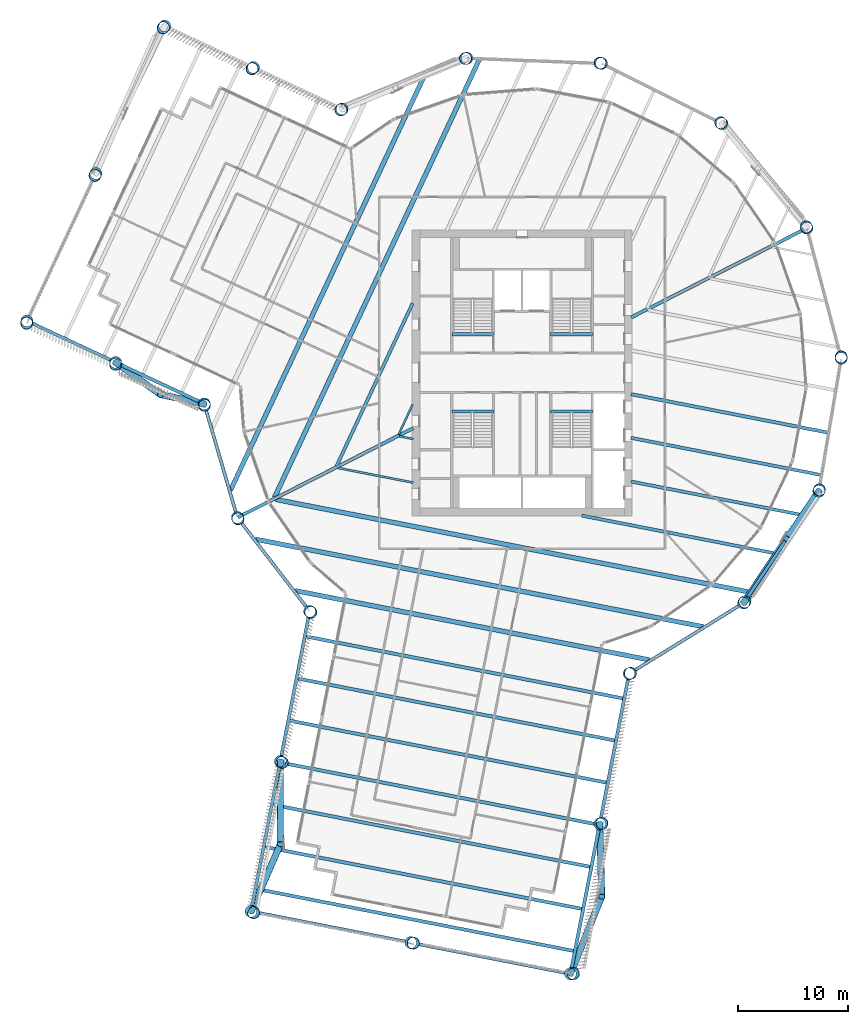
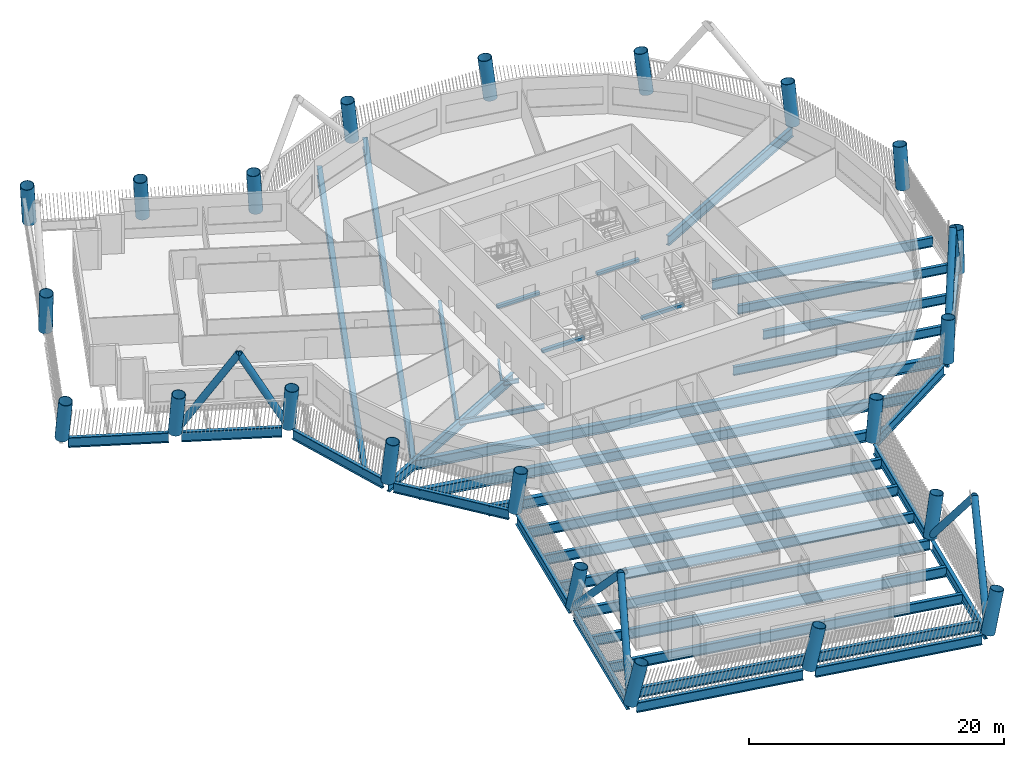
# One storey, part 1 of 24: 38 beams, 22 columns, 8 members.
"""IFC4 building model written with IfcOpenShell, lengths in metres."""

from ifc_helpers import new_model, si_unit, direction, frame, origin, origin_2d, place, context, subcontext, project, spatial, rectangle, hollow_circle, i_section, extrude, material, material_profile, profile_set, type_object, element, save


model = new_model("IFC4")

# Units and contexts
model_context = context("Model", 3, precision=1e-05, world=origin(), true_north=direction((0.0, 1.0)))
body_context = subcontext(model_context, "Body", "Model", "MODEL_VIEW")
ifc_project = project(units=[si_unit("LENGTHUNIT", "METRE"), si_unit("AREAUNIT", "SQUARE_METRE"), si_unit("VOLUMEUNIT", "CUBIC_METRE"), si_unit("PLANEANGLEUNIT", "RADIAN"), si_unit("MASSUNIT", "GRAM", prefix="KILO")], contexts=[model_context])

# Site, building, storey
site_placement = place(None, origin())
site = spatial("IfcSite", under=ifc_project, at=site_placement, CompositionType="ELEMENT")
building_placement = place(site_placement, origin())
building = spatial("IfcBuilding", under=site, at=building_placement, Name="Tarsis Ring Headquarters", CompositionType="ELEMENT")
storey_placement = place(building_placement, frame((0.0, 0.0, 178.800048828125)))
storey = spatial("IfcBuildingStorey", under=building, at=storey_placement, Name="L41", CompositionType="ELEMENT", Elevation=178.800048828125)

# Columns
ifc_material_1 = material(Name="Structural steel S355", Category="steel")
ifc_material_profile_1 = material_profile(ifc_material_1, hollow_circle(Radius=0.558837890625, WallThickness=0.044921875, at=origin_2d()), Name="CHS 1118x45")
ifc_profile_set_1 = profile_set([ifc_material_profile_1], Name="Structural steel S355")
column_type = type_object("IfcColumnType", Name="XC Exo column CHS 1118x45", PredefinedType="COLUMN", material=ifc_profile_set_1)
for number, where, z_axis, x_axis, name in (
    (1, (-25.896240234375, -13.16064453125, 0.0009765625), (0.053499283264, -0.103203849924, 0.993220414637), (0.88780312332, 0.460223439455, 0.0), "Exo column XC4 F1"),
    (2, (-19.320068359375, -21.692138671875, 0.0009765625), (0.087402904232, -0.076640838444, 0.993220476135), (0.659299855152, 0.751880110786, 0.0), "Exo column XC4 AK"),
):
    element("IfcColumn", number, at=place(storey_placement, frame(where, z_axis=z_axis, x_axis=x_axis)), inside=storey, type_object=column_type, Name=name, PredefinedType="COLUMN", context=body_context, shape_type="SweptSolid", body=[
        extrude(hollow_circle(Radius=0.558837890625, WallThickness=0.044921875, at=origin_2d()), origin(), (0.0, 0.0, 1.0), 3.924560546875),
    ])
column_1_placement = place(storey_placement, frame((-21.987060546875, -35.336181640625, 0.001220703125), z_axis=(0.141041465326, -0.086243489091, 0.98624001422), x_axis=(0.521676726688, 0.853143242857, 0.0)))
element("IfcColumn", 3, at=column_1_placement, inside=storey, type_object=column_type, Name="Exo column XC4 AI1", PredefinedType="COLUMN", context=body_context, shape_type="SweptSolid", body=[
    extrude(hollow_circle(Radius=0.558837890625, WallThickness=0.044921875, at=origin_2d()), origin(), (0.0, 0.0, 1.0), 3.951904296875),
])
column_2_placement = place(storey_placement, frame((-24.65380859375, -48.980224609375, 0.00146484375), z_axis=(0.193373678204, -0.095432754824, 0.976472841345), x_axis=(0.442555043542, 0.896741341433, 0.0)))
element("IfcColumn", 4, at=column_2_placement, inside=storey, type_object=column_type, Name="Exo column XC4 AT1", PredefinedType="COLUMN", context=body_context, shape_type="SweptSolid", body=[
    extrude(hollow_circle(Radius=0.558837890625, WallThickness=0.044921875, at=origin_2d()), origin(), (0.0, 0.0, 1.0), 3.990966796875),
])
column_3_placement = place(storey_placement, frame((-10.128662109375, -51.8193359375, 0.00146484375), z_axis=(0.204426131478, -0.038299260244, 0.978132467222), x_axis=(0.184146219361, 0.982898860461, 0.0)))
element("IfcColumn", 5, at=column_3_placement, inside=storey, type_object=column_type, Name="Exo column XC4 AT2", PredefinedType="COLUMN", context=body_context, shape_type="SweptSolid", body=[
    extrude(hollow_circle(Radius=0.558837890625, WallThickness=0.044921875, at=origin_2d()), origin(), (0.0, 0.0, 1.0), 3.984130859375),
])
column_4_placement = place(storey_placement, frame((4.396484375, -54.658447265625, 0.00146484375), z_axis=(0.214785797575, 0.018964282896, 0.976477043834), x_axis=(-0.087951770888, 0.996124734156, 0.0)))
element("IfcColumn", 6, at=column_4_placement, inside=storey, type_object=column_type, Name="Exo column XC4 AT3", PredefinedType="COLUMN", context=body_context, shape_type="SweptSolid", body=[
    extrude(hollow_circle(Radius=0.558837890625, WallThickness=0.044921875, at=origin_2d()), origin(), (0.0, 0.0, 1.0), 3.990966796875),
])
column_5_placement = place(storey_placement, frame((7.063232421875, -41.014404296875, 0.001220703125), z_axis=(0.162725064625, 0.029344876878, 0.986234977855), x_axis=(-0.177471459818, 0.984125947707, 0.0)))
element("IfcColumn", 7, at=column_5_placement, inside=storey, type_object=column_type, Name="Exo column XC4 AO1", PredefinedType="COLUMN", context=body_context, shape_type="SweptSolid", body=[
    extrude(hollow_circle(Radius=0.558837890625, WallThickness=0.044921875, at=origin_2d()), origin(), (0.0, 0.0, 1.0), 3.951904296875),
])
for number, where, z_axis, x_axis, name in (
    (8, (9.730224609375, -27.370361328125, 0.0009765625), (0.109176609714, 0.039751483537, 0.993227208371), (-0.342129939578, 0.939652650954, 0.0), "Exo column XC4 AJ"),
    (9, (20.14697265625, -20.926513671875, 0.0009765625), (0.083048951994, 0.081244892363, 0.993228140478), (-0.699300103468, 0.714828206837, 0.0), "Exo column XC4 R1"),
    (10, (26.9814453125, -10.76171875, 0.0009765625), (0.042239530694, 0.108304893869, 0.993219951476), (-0.931652743631, 0.363349921267, 0.0), "Exo column XC4 R2"),
    (11, (29.0185546875, 1.316650390625, 0.0009765625), (-0.006158684361, 0.116019659939, 0.993227823369), (-0.99859406228, -0.053008478373, 0.0), "Exo column XC4 R3"),
    (12, (25.896240234375, 13.16064453125, 0.0009765625), (-0.053499283264, 0.103203849924, 0.993220414637), (-0.88780312332, -0.460223439455, 0.0), "Exo column XC4 R4"),
    (13, (18.169189453125, 22.664794921875, 0.0009765625), (-0.091260025728, 0.071975357714, 0.993222611294), (-0.619262429237, -0.785184082706, 0.0), "Exo column XC4 R5"),
    (14, (7.211669921875, 28.13916015625, 0.0009765625), (-0.112784676706, 0.02793178149, 0.993226777873), (-0.240393444386, -0.970675533789, 0.0), "Exo column XC4 R6"),
    (15, (-5.028076171875, 28.610107421875, 0.0009765625), (-0.114277635792, -0.021026587315, 0.99322631086), (0.180958027771, -0.983490819573, 0.0), "Exo column XC4 R7"),
    (16, (-16.373779296875, 23.993896484375, 0.0009765625), (-0.095490264183, -0.066252202837, 0.993223164785), (0.570044680317, -0.821613694166, 0.0), "Exo column XC4 BJ"),
):
    element("IfcColumn", number, at=place(storey_placement, frame(where, z_axis=z_axis, x_axis=x_axis)), inside=storey, type_object=column_type, Name=name, PredefinedType="COLUMN", context=body_context, shape_type="SweptSolid", body=[
        extrude(hollow_circle(Radius=0.558837890625, WallThickness=0.044921875, at=origin_2d()), origin(), (0.0, 0.0, 1.0), 3.924560546875),
    ])
column_6_placement = place(storey_placement, frame((-24.438232421875, 27.7646484375, 0.001220703125), z_axis=(-0.109788941811, -0.098202862737, 0.989091798574), x_axis=(0.666684196456, -0.745340313009, 0.0)))
element("IfcColumn", 17, at=column_6_placement, inside=storey, type_object=column_type, Name="Exo column XC4 BO1", PredefinedType="COLUMN", context=body_context, shape_type="SweptSolid", body=[
    extrude(hollow_circle(Radius=0.558837890625, WallThickness=0.044921875, at=origin_2d()), origin(), (0.0, 0.0, 1.0), 3.9404296875),
])
column_7_placement = place(storey_placement, frame((-32.50244140625, 31.535400390625, 0.001220703125), z_axis=(-0.123926165428, -0.129780459668, 0.983767928838), x_axis=(0.723230789368, -0.690606418527, 0.0)))
element("IfcColumn", 18, at=column_7_placement, inside=storey, type_object=column_type, Name="Exo column XC4 BT3", PredefinedType="COLUMN", context=body_context, shape_type="SweptSolid", body=[
    extrude(hollow_circle(Radius=0.558837890625, WallThickness=0.044921875, at=origin_2d()), origin(), (0.0, 0.0, 1.0), 3.961669921875),
])
column_8_placement = place(storey_placement, frame((-38.77099609375, 18.12841796875, 0.001220703125), z_axis=(-0.070743083787, -0.154449559891, 0.98546473785), x_axis=(0.909168021033, -0.41642947726, 0.0)))
element("IfcColumn", 19, at=column_8_placement, inside=storey, type_object=column_type, Name="Exo column XC4 BT2", PredefinedType="COLUMN", context=body_context, shape_type="SweptSolid", body=[
    extrude(hollow_circle(Radius=0.558837890625, WallThickness=0.044921875, at=origin_2d()), origin(), (0.0, 0.0, 1.0), 3.954833984375),
])
column_9_placement = place(storey_placement, frame((-45.039794921875, 4.7216796875, 0.001220703125), z_axis=(-0.017316451616, -0.178587461861, 0.98377164981), x_axis=(0.995331938133, -0.096510791793, 0.0)))
element("IfcColumn", 20, at=column_9_placement, inside=storey, type_object=column_type, Name="Exo column XC4 BT1", PredefinedType="COLUMN", context=body_context, shape_type="SweptSolid", body=[
    extrude(hollow_circle(Radius=0.558837890625, WallThickness=0.044921875, at=origin_2d()), origin(), (0.0, 0.0, 1.0), 3.961669921875),
])
column_10_placement = place(storey_placement, frame((-36.9755859375, 0.950927734375, 0.001220703125), z_axis=(-0.002602198798, -0.147334017631, 0.989083371516), x_axis=(0.999844065112, -0.01765914665, 0.0)))
element("IfcColumn", 21, at=column_10_placement, inside=storey, type_object=column_type, Name="Exo column XC4 BI1", PredefinedType="COLUMN", context=body_context, shape_type="SweptSolid", body=[
    extrude(hollow_circle(Radius=0.558837890625, WallThickness=0.044921875, at=origin_2d()), origin(), (0.0, 0.0, 1.0), 3.9404296875),
])
column_11_placement = place(storey_placement, frame((-28.911376953125, -2.819580078125, 0.0009765625), z_axis=(0.012192890601, -0.115583626204, 0.993222914945), x_axis=(0.994481965225, 0.104907677709, 0.0)))
element("IfcColumn", 22, at=column_11_placement, inside=storey, type_object=column_type, Name="Exo column XC4 BK", PredefinedType="COLUMN", context=body_context, shape_type="SweptSolid", body=[
    extrude(hollow_circle(Radius=0.558837890625, WallThickness=0.044921875, at=origin_2d()), origin(), (0.0, 0.0, 1.0), 3.924560546875),
])

# Beams
ifc_material_profile_2 = material_profile(ifc_material_1, i_section(OverallWidth=0.177734375, OverallDepth=0.406494140625, WebThickness=0.0078125, FlangeThickness=0.0126953125, at=origin_2d()), Name="W16x40")
ifc_profile_set_2 = profile_set([ifc_material_profile_2], Name="Structural steel S355")
beam_type_1 = type_object("IfcBeamType", Name="FB Floor beam W16x40", PredefinedType="JOIST", material=ifc_profile_set_2)
beam_1_placement = place(storey_placement, frame((-11.1455078125, -5.76904296875, -0.36328125), z_axis=(0.981416324473, -0.191890588766, 0.0), x_axis=(0.191890588766, 0.981416324473, 0.0)))
element("IfcBeam", 23, at=beam_1_placement, inside=storey, type_object=beam_type_1, Name="Floor beam FB1", PredefinedType="JOIST", context=body_context, shape_type="SweptSolid", body=[
    extrude(i_section(OverallWidth=0.177734375, OverallDepth=0.406494140625, WebThickness=0.0078125, FlangeThickness=0.0126953125, at=origin_2d()), origin(), (0.0, 0.0, 1.0), 1.26708984375),
])
beam_2_placement = place(storey_placement, frame((-9.957763671875, -2.880859375, -0.36328125), z_axis=(-0.423525947677, -0.905883972507, 0.0), x_axis=(0.905883972507, -0.423525947677, 0.0)))
element("IfcBeam", 24, at=beam_2_placement, inside=storey, type_object=beam_type_1, Name="Floor beam FB1", PredefinedType="JOIST", context=body_context, shape_type="SweptSolid", body=[
    extrude(i_section(OverallWidth=0.177734375, OverallDepth=0.406494140625, WebThickness=0.0078125, FlangeThickness=0.0126953125, at=origin_2d()), origin(), (0.0, 0.0, 1.0), 3.00439453125),
])
ifc_material_profile_3 = material_profile(ifc_material_1, i_section(OverallWidth=0.1904296875, OverallDepth=0.457275390625, WebThickness=0.009033203125, FlangeThickness=0.014404296875, at=origin_2d()), Name="W18x50")
ifc_profile_set_3 = profile_set([ifc_material_profile_3], Name="Structural steel S355")
beam_type_2 = type_object("IfcBeamType", Name="FB Floor beam W18x50", PredefinedType="JOIST", material=ifc_profile_set_3)
beam_3_placement = place(storey_placement, frame((-16.792724609375, -8.638916015625, -0.388671875), z_axis=(0.981427252205, -0.191834690892, 0.0), x_axis=(0.191834690892, 0.981427252205, 0.0)))
element("IfcBeam", 25, at=beam_3_placement, inside=storey, type_object=beam_type_2, Name="Floor beam FB2", PredefinedType="JOIST", context=body_context, shape_type="SweptSolid", body=[
    extrude(i_section(OverallWidth=0.1904296875, OverallDepth=0.457275390625, WebThickness=0.009033203125, FlangeThickness=0.014404296875, at=origin_2d()), origin(), (0.0, 0.0, 1.0), 7.021240234375),
])
ifc_material_profile_4 = material_profile(ifc_material_1, i_section(OverallWidth=0.2919921875, OverallDepth=0.835693359375, WebThickness=0.013916015625, FlangeThickness=0.018798828125, at=origin_2d()), Name="W33x118")
ifc_profile_set_4 = profile_set([ifc_material_profile_4], Name="Structural steel S355")
beam_type_3 = type_object("IfcBeamType", Name="FB Floor beam W33x118", PredefinedType="JOIST", material=ifc_profile_set_4)
beam_4_placement = place(storey_placement, frame((9.90185546875, -5.9091796875, -0.577880859375), z_axis=(0.981425031422, -0.191846052079, 0.0), x_axis=(0.191846052079, 0.981425031422, 0.0)))
element("IfcBeam", 26, at=beam_4_placement, inside=storey, type_object=beam_type_3, Name="Floor beam FB7", PredefinedType="JOIST", context=body_context, shape_type="SweptSolid", body=[
    extrude(i_section(OverallWidth=0.2919921875, OverallDepth=0.835693359375, WebThickness=0.013916015625, FlangeThickness=0.018798828125, at=origin_2d()), origin(), (0.0, 0.0, 1.0), 17.599853515625),
])
beam_5_placement = place(storey_placement, frame((9.90185546875, -9.883056640625, -0.577880859375), z_axis=(0.981425903149, -0.191841592541, 0.0), x_axis=(0.191841592541, 0.981425903149, 0.0)))
element("IfcBeam", 27, at=beam_5_placement, inside=storey, type_object=beam_type_3, Name="Floor beam FB7", PredefinedType="JOIST", context=body_context, shape_type="SweptSolid", body=[
    extrude(i_section(OverallWidth=0.2919921875, OverallDepth=0.835693359375, WebThickness=0.013916015625, FlangeThickness=0.018798828125, at=origin_2d()), origin(), (0.0, 0.0, 1.0), 15.845458984375),
])
beam_6_placement = place(storey_placement, frame((5.419921875, -12.980712890625, -0.577880859375), z_axis=(0.981425078692, -0.191845810262, 0.0), x_axis=(0.191845810262, 0.981425078692, 0.0)))
element("IfcBeam", 28, at=beam_6_placement, inside=storey, type_object=beam_type_3, Name="Floor beam FB7", PredefinedType="JOIST", context=body_context, shape_type="SweptSolid", body=[
    extrude(i_section(OverallWidth=0.2919921875, OverallDepth=0.835693359375, WebThickness=0.013916015625, FlangeThickness=0.018798828125, at=origin_2d()), origin(), (0.0, 0.0, 1.0), 18.005859375),
])
beam_7_placement = place(storey_placement, frame((-9.957763671875, 6.32666015625, -0.577880859375), z_axis=(-0.423561105444, -0.905867534442, 0.0), x_axis=(0.905867534442, -0.423561105444, 0.0)))
element("IfcBeam", 29, at=beam_7_placement, inside=storey, type_object=beam_type_3, Name="Floor beam FB7", PredefinedType="JOIST", context=body_context, shape_type="SweptSolid", body=[
    extrude(i_section(OverallWidth=0.2919921875, OverallDepth=0.835693359375, WebThickness=0.013916015625, FlangeThickness=0.018798828125, at=origin_2d()), origin(), (0.0, 0.0, 1.0), 16.3369140625),
])
ifc_material_profile_5 = material_profile(ifc_material_1, i_section(OverallWidth=0.3046875, OverallDepth=0.904296875, WebThickness=0.01513671875, FlangeThickness=0.02001953125, at=origin_2d()), Name="W36x135")
ifc_profile_set_5 = profile_set([ifc_material_profile_5], Name="Structural steel S355")
beam_type_4 = type_object("IfcBeamType", Name="FB Floor beam W36x135", PredefinedType="JOIST", material=ifc_profile_set_5)
beam_8_placement = place(storey_placement, frame((9.90185546875, -1.935546875, -0.612060546875), z_axis=(0.981428511331, -0.191828249085, 0.0), x_axis=(0.191828249085, 0.981428511331, 0.0)))
element("IfcBeam", 30, at=beam_8_placement, inside=storey, type_object=beam_type_4, Name="Floor beam FB8", PredefinedType="JOIST", context=body_context, shape_type="SweptSolid", body=[
    extrude(i_section(OverallWidth=0.3046875, OverallDepth=0.904296875, WebThickness=0.01513671875, FlangeThickness=0.02001953125, at=origin_2d()), origin(), (0.0, 0.0, 1.0), 18.2607421875),
])
ifc_material_profile_6 = material_profile(ifc_material_1, i_section(OverallWidth=0.309814453125, OverallDepth=0.949951171875, WebThickness=0.0244140625, FlangeThickness=0.0439453125, at=origin_2d()), Name="W36x256")
ifc_profile_set_6 = profile_set([ifc_material_profile_6], Name="Structural steel S355")
beam_type_5 = type_object("IfcBeamType", Name="FB Floor beam W36x256", PredefinedType="JOIST", material=ifc_profile_set_6)
for number, where, z_axis, x_axis, name in (
    (31, (-19.708251953125, -23.96435546875, -0.635009765625), (0.981427231, -0.191834799378, 0.0), (0.191834799378, 0.981427231, 0.0), "Floor beam FB11"),
    (32, (-20.45654296875, -27.7919921875, -0.635009765625), (0.981427231, -0.191834799378, 0.0), (0.191834799378, 0.981427231, 0.0), "Floor beam FB11"),
    (33, (-21.20458984375, -31.619384765625, -0.635009765625), (0.981427231, -0.191834799378, 0.0), (0.191834799378, 0.981427231, 0.0), "Floor beam FB11"),
    (34, (-21.952880859375, -35.447021484375, -0.635009765625), (0.981427231, -0.191834799378, 0.0), (0.191834799378, 0.981427231, 0.0), "Floor beam FB11"),
    (35, (-22.700927734375, -39.274658203125, -0.635009765625), (0.981427231, -0.191834799378, 0.0), (0.191834799378, 0.981427231, 0.0), "Floor beam FB11"),
):
    element("IfcBeam", number, at=place(storey_placement, frame(where, z_axis=z_axis, x_axis=x_axis)), inside=storey, type_object=beam_type_5, Name=name, PredefinedType="JOIST", context=body_context, shape_type="SweptSolid", body=[
        extrude(i_section(OverallWidth=0.309814453125, OverallDepth=0.949951171875, WebThickness=0.0244140625, FlangeThickness=0.0439453125, at=origin_2d()), origin(), (0.0, 0.0, 1.0), 29.489990234375),
    ])
beam_9_placement = place(storey_placement, frame((-23.44921875, -43.10205078125, -0.635009765625), z_axis=(0.981425672317, -0.19184277343, 0.0), x_axis=(0.19184277343, 0.981425672317, 0.0)))
element("IfcBeam", 36, at=beam_9_placement, inside=storey, type_object=beam_type_5, Name="Floor beam FB11", PredefinedType="JOIST", context=body_context, shape_type="SweptSolid", body=[
    extrude(i_section(OverallWidth=0.309814453125, OverallDepth=0.949951171875, WebThickness=0.0244140625, FlangeThickness=0.0439453125, at=origin_2d()), origin(), (0.0, 0.0, 1.0), 29.490234375),
])
beam_10_placement = place(storey_placement, frame((-24.197265625, -46.9296875, -0.635009765625), z_axis=(0.981427231, -0.191834799378, 0.0), x_axis=(0.191834799378, 0.981427231, 0.0)))
element("IfcBeam", 37, at=beam_10_placement, inside=storey, type_object=beam_type_5, Name="Floor beam FB11", PredefinedType="JOIST", context=body_context, shape_type="SweptSolid", body=[
    extrude(i_section(OverallWidth=0.309814453125, OverallDepth=0.949951171875, WebThickness=0.0244140625, FlangeThickness=0.0439453125, at=origin_2d()), origin(), (0.0, 0.0, 1.0), 29.489990234375),
])
beam_type_6 = type_object("IfcBeamType", Name="FB Floor beam W36x256 spine", PredefinedType="BEAM", material=ifc_profile_set_6)
beam_11_placement = place(storey_placement, frame((-9.910888671875, -5.036865234375, -0.635009765625), z_axis=(-0.891482200468, -0.453055720909, 0.0), x_axis=(0.453055720909, -0.891482200468, 0.0)))
element("IfcBeam", 38, at=beam_11_placement, inside=storey, type_object=beam_type_6, Name="Floor beam SB11", PredefinedType="BEAM", context=body_context, shape_type="SweptSolid", body=[
    extrude(i_section(OverallWidth=0.309814453125, OverallDepth=0.949951171875, WebThickness=0.0244140625, FlangeThickness=0.0439453125, at=origin_2d()), origin(), (0.0, 0.0, 1.0), 17.87353515625),
])
beam_12_placement = place(storey_placement, frame((25.843994140625, 13.134033203125, -0.635009765625), z_axis=(-0.891484823242, -0.453050560014, 0.0), x_axis=(0.453050560014, -0.891484823242, 0.0)))
element("IfcBeam", 39, at=beam_12_placement, inside=storey, type_object=beam_type_6, Name="Floor beam SB11", PredefinedType="BEAM", context=body_context, shape_type="SweptSolid", body=[
    extrude(i_section(OverallWidth=0.309814453125, OverallDepth=0.949951171875, WebThickness=0.0244140625, FlangeThickness=0.0439453125, at=origin_2d()), origin(), (0.0, 0.0, 1.0), 17.87255859375),
])
ifc_material_profile_7 = material_profile(ifc_material_1, i_section(OverallWidth=0.42431640625, OverallDepth=0.947509765625, WebThickness=0.02392578125, FlangeThickness=0.042724609375, at=origin_2d()), Name="W36x302")
ifc_profile_set_7 = profile_set([ifc_material_profile_7], Name="Structural steel S355")
beam_type_7 = type_object("IfcBeamType", Name="FB Floor beam W36x302", PredefinedType="JOIST", material=ifc_profile_set_7)
beam_13_placement = place(storey_placement, frame((-22.43994140625, -11.509033203125, -0.6337890625), z_axis=(0.981426949208, -0.191836241018, 0.0), x_axis=(0.191836241018, 0.981426949208, 0.0)))
element("IfcBeam", 40, at=beam_13_placement, inside=storey, type_object=beam_type_7, Name="Floor beam FB12", PredefinedType="JOIST", context=body_context, shape_type="SweptSolid", body=[
    extrude(i_section(OverallWidth=0.42431640625, OverallDepth=0.947509765625, WebThickness=0.02392578125, FlangeThickness=0.042724609375, at=origin_2d()), origin(), (0.0, 0.0, 1.0), 43.986572265625),
])
beam_14_placement = place(storey_placement, frame((-24.269775390625, -15.125, -0.6337890625), z_axis=(0.981426600146, -0.1918380268, 0.0), x_axis=(0.1918380268, 0.981426600146, 0.0)))
element("IfcBeam", 41, at=beam_14_placement, inside=storey, type_object=beam_type_7, Name="Floor beam FB12", PredefinedType="JOIST", context=body_context, shape_type="SweptSolid", body=[
    extrude(i_section(OverallWidth=0.42431640625, OverallDepth=0.947509765625, WebThickness=0.02392578125, FlangeThickness=0.042724609375, at=origin_2d()), origin(), (0.0, 0.0, 1.0), 41.523681640625),
])
beam_15_placement = place(storey_placement, frame((-20.663330078125, -19.8037109375, -0.6337890625), z_axis=(0.981425678261, -0.19184274302, 0.0), x_axis=(0.19184274302, 0.981425678261, 0.0)))
element("IfcBeam", 42, at=beam_15_placement, inside=storey, type_object=beam_type_7, Name="Floor beam FB12", PredefinedType="JOIST", context=body_context, shape_type="SweptSolid", body=[
    extrude(i_section(OverallWidth=0.42431640625, OverallDepth=0.947509765625, WebThickness=0.02392578125, FlangeThickness=0.042724609375, at=origin_2d()), origin(), (0.0, 0.0, 1.0), 32.875244140625),
])
beam_16_placement = place(storey_placement, frame((-3.893310546875, 28.503662109375, -0.6337890625), z_axis=(-0.42356596738, -0.905865261106, 0.0), x_axis=(0.905865261106, -0.42356596738, 0.0)))
element("IfcBeam", 43, at=beam_16_placement, inside=storey, type_object=beam_type_7, Name="Floor beam FB12", PredefinedType="JOIST", context=body_context, shape_type="SweptSolid", body=[
    extrude(i_section(OverallWidth=0.42431640625, OverallDepth=0.947509765625, WebThickness=0.02392578125, FlangeThickness=0.042724609375, at=origin_2d()), origin(), (0.0, 0.0, 1.0), 43.98681640625),
])
beam_17_placement = place(storey_placement, frame((-8.936279296875, 26.926025390625, -0.6337890625), z_axis=(-0.42356450172, -0.905865946419, 0.0), x_axis=(0.905865946419, -0.42356450172, 0.0)))
element("IfcBeam", 44, at=beam_17_placement, inside=storey, type_object=beam_type_7, Name="Floor beam FB12", PredefinedType="JOIST", context=body_context, shape_type="SweptSolid", body=[
    extrude(i_section(OverallWidth=0.42431640625, OverallDepth=0.947509765625, WebThickness=0.02392578125, FlangeThickness=0.042724609375, at=origin_2d()), origin(), (0.0, 0.0, 1.0), 41.5234375),
])
ifc_material_2 = material(Name="Concrete C40/50", Category="concrete")
ifc_material_profile_8 = material_profile(ifc_material_2, rectangle(XDim=0.300048828125, YDim=0.300048828125, at=origin_2d()), Name="Stair head beam 300x300 C40/50")
ifc_profile_set_8 = profile_set([ifc_material_profile_8], Name="Concrete C40/50")
beam_type_8 = type_object("IfcBeamType", Name="Stair head beam 300x300 C40/50", PredefinedType="BEAM", material=ifc_profile_set_8)
for number, where, z_axis, x_axis, name in (
    (45, (-6.39990234375, 3.510009765625, -0.31005859375), (1.0, 0.0, 0.0), (0.0, 1.0, 0.0), "Stair head beam L41 Firefighting stair"),
    (46, (2.60009765625, 3.510009765625, -0.31005859375), (1.0, 0.0, 0.0), (0.0, 1.0, 0.0), "Stair head beam L41 Exit stair B"),
    (47, (-6.39990234375, -3.510009765625, -0.31005859375), (1.0, 0.0, 0.0), (0.0, 1.0, 0.0), "Stair head beam L41 Exit stair C"),
    (48, (2.60009765625, -3.510009765625, -0.31005859375), (1.0, 0.0, 0.0), (0.0, 1.0, 0.0), "Stair head beam L41 Exit stair D"),
):
    element("IfcBeam", number, at=place(storey_placement, frame(where, z_axis=z_axis, x_axis=x_axis)), inside=storey, type_object=beam_type_8, Name=name, PredefinedType="BEAM", context=body_context, shape_type="SweptSolid", body=[
        extrude(rectangle(XDim=0.300048828125, YDim=0.300048828125, at=origin_2d()), origin(), (0.0, 0.0, 1.0), 3.7998046875),
    ])

# Members
ifc_material_profile_9 = material_profile(ifc_material_1, hollow_circle(Radius=0.3046875, WallThickness=0.02490234375, at=origin_2d()), Name="CHS 610x25")
ifc_profile_set_9 = profile_set([ifc_material_profile_9], Name="Structural steel S355")
member_type = type_object("IfcMemberType", Name="XD X brace CHS 610x25", PredefinedType="BRACE", material=ifc_profile_set_9)
member_1_placement = place(storey_placement, frame((-21.987060546875, -35.336181640625, 0.0), z_axis=(0.000202620758, -0.694719040184, 0.719281178782), x_axis=(0.999999957468, 0.000291658553, 0.0)))
element("IfcMember", 49, at=member_1_placement, inside=storey, type_object=member_type, Name="X brace XD1", PredefinedType="BRACE", context=body_context, shape_type="SweptSolid", body=[
    extrude(hollow_circle(Radius=0.3046875, WallThickness=0.02490234375, at=origin_2d()), origin(), (0.0, 0.0, 1.0), 10.84423828125),
])
member_2_placement = place(storey_placement, frame((-24.654052734375, -48.980224609375, 0.0), z_axis=(0.260112753486, 0.595454312106, 0.76011546338), x_axis=(-0.91638239817, 0.400304009877, 0.0)))
element("IfcMember", 50, at=member_2_placement, inside=storey, type_object=member_type, Name="X brace XD1", PredefinedType="BRACE", context=body_context, shape_type="SweptSolid", body=[
    extrude(hollow_circle(Radius=0.3046875, WallThickness=0.02490234375, at=origin_2d()), origin(), (0.0, 0.0, 1.0), 10.26171875),
])
member_3_placement = place(storey_placement, frame((4.396240234375, -54.658447265625, 0.0), z_axis=(0.260549854757, 0.646142982621, 0.717365331749), x_axis=(-0.927437325333, 0.373978619146, 0.0)))
element("IfcMember", 51, at=member_3_placement, inside=storey, type_object=member_type, Name="X brace XD1", PredefinedType="BRACE", context=body_context, shape_type="SweptSolid", body=[
    extrude(hollow_circle(Radius=0.3046875, WallThickness=0.02490234375, at=origin_2d()), origin(), (0.0, 0.0, 1.0), 10.873291015625),
])
member_4_placement = place(storey_placement, frame((7.06298828125, -41.014404296875, 0.0), z_axis=(0.016250714497, -0.646902524679, 0.762399526392), x_axis=(0.999684621746, 0.025112886031, 0.0)))
element("IfcMember", 52, at=member_4_placement, inside=storey, type_object=member_type, Name="X brace XD1", PredefinedType="BRACE", context=body_context, shape_type="SweptSolid", body=[
    extrude(hollow_circle(Radius=0.3046875, WallThickness=0.02490234375, at=origin_2d()), origin(), (0.0, 0.0, 1.0), 10.23095703125),
])
member_5_placement = place(storey_placement, frame((20.14697265625, -20.926513671875, 0.0), z_axis=(0.372049763093, 0.555724317765, 0.743471220982), x_axis=(-0.830967355376, 0.556321179086, 0.0)))
element("IfcMember", 53, at=member_5_placement, inside=storey, type_object=member_type, Name="X brace XD1", PredefinedType="BRACE", context=body_context, shape_type="SweptSolid", body=[
    extrude(hollow_circle(Radius=0.3046875, WallThickness=0.02490234375, at=origin_2d()), origin(), (0.0, 0.0, 1.0), 10.491455078125),
])
member_6_placement = place(storey_placement, frame((26.9814453125, -10.76171875, 0.0), z_axis=(-0.31207192114, -0.461479667493, 0.830450258912), x_axis=(0.828371292205, -0.560179437547, 0.0)))
element("IfcMember", 54, at=member_6_placement, inside=storey, type_object=member_type, Name="X brace XD1", PredefinedType="BRACE", context=body_context, shape_type="SweptSolid", body=[
    extrude(hollow_circle(Radius=0.3046875, WallThickness=0.02490234375, at=origin_2d()), origin(), (0.0, 0.0, 1.0), 9.392578125),
])
member_7_placement = place(storey_placement, frame((-36.9755859375, 0.951171875, 0.0), z_axis=(0.439722302952, -0.314850857442, 0.841138058736), x_axis=(0.582172611392, 0.813065219121, 0.0)))
element("IfcMember", 55, at=member_7_placement, inside=storey, type_object=member_type, Name="X brace XD1", PredefinedType="BRACE", context=body_context, shape_type="SweptSolid", body=[
    extrude(hollow_circle(Radius=0.3046875, WallThickness=0.02490234375, at=origin_2d()), origin(), (0.0, 0.0, 1.0), 9.273193359375),
])
member_8_placement = place(storey_placement, frame((-28.911376953125, -2.819580078125, 0.0), z_axis=(-0.452967381303, 0.096701836685, 0.886267062604), x_axis=(-0.208780534096, -0.977962519007, 0.0)))
element("IfcMember", 56, at=member_8_placement, inside=storey, type_object=member_type, Name="X brace XD1", PredefinedType="BRACE", context=body_context, shape_type="SweptSolid", body=[
    extrude(hollow_circle(Radius=0.3046875, WallThickness=0.02490234375, at=origin_2d()), origin(), (0.0, 0.0, 1.0), 8.801025390625),
])

# Beams
beam_type_9 = type_object("IfcBeamType", Name="XG Ring girder W36x256", PredefinedType="BEAM", material=ifc_profile_set_6)
beam_18_placement = place(storey_placement, frame((-25.589111328125, -13.55908203125, -0.47509765625), z_axis=(0.610495772141, -0.792019515036, 0.0), x_axis=(0.792019515036, 0.610495772141, 0.0)))
element("IfcBeam", 57, at=beam_18_placement, inside=storey, type_object=beam_type_9, Name="Ring girder XG2", PredefinedType="BEAM", context=body_context, shape_type="SweptSolid", body=[
    extrude(i_section(OverallWidth=0.309814453125, OverallDepth=0.949951171875, WebThickness=0.0244140625, FlangeThickness=0.0439453125, at=origin_2d()), origin(), (0.0, 0.0, 1.0), 9.765625),
])
beam_19_placement = place(storey_placement, frame((-19.416748046875, -22.185791015625, -0.47509765625), z_axis=(-0.191829271263, -0.981428311537, 0.0), x_axis=(0.981428311537, -0.191829271263, 0.0)))
element("IfcBeam", 58, at=beam_19_placement, inside=storey, type_object=beam_type_9, Name="Ring girder XG2", PredefinedType="BEAM", context=body_context, shape_type="SweptSolid", body=[
    extrude(i_section(OverallWidth=0.309814453125, OverallDepth=0.949951171875, WebThickness=0.0244140625, FlangeThickness=0.0439453125, at=origin_2d()), origin(), (0.0, 0.0, 1.0), 12.896240234375),
])
beam_20_placement = place(storey_placement, frame((-22.083740234375, -35.82958984375, -0.47509765625), z_axis=(-0.191825707224, -0.981429008155, 0.0), x_axis=(0.981429008155, -0.191825707224, 0.0)))
element("IfcBeam", 59, at=beam_20_placement, inside=storey, type_object=beam_type_9, Name="Ring girder XG2", PredefinedType="BEAM", context=body_context, shape_type="SweptSolid", body=[
    extrude(i_section(OverallWidth=0.309814453125, OverallDepth=0.949951171875, WebThickness=0.0244140625, FlangeThickness=0.0439453125, at=origin_2d()), origin(), (0.0, 0.0, 1.0), 12.896484375),
])
for number, where, z_axis, x_axis, name in (
    (60, (-24.16064453125, -49.07666015625, -0.47509765625), (0.981427005347, -0.191835953815, 0.0), (0.191835953815, 0.981427005347, 0.0), "Ring girder XG2"),
    (61, (-9.635498046875, -51.915771484375, -0.47509765625), (0.981427005347, -0.191835953815, 0.0), (0.191835953815, 0.981427005347, 0.0), "Ring girder XG2"),
):
    element("IfcBeam", number, at=place(storey_placement, frame(where, z_axis=z_axis, x_axis=x_axis)), inside=storey, type_object=beam_type_9, Name=name, PredefinedType="BEAM", context=body_context, shape_type="SweptSolid", body=[
        extrude(i_section(OverallWidth=0.309814453125, OverallDepth=0.949951171875, WebThickness=0.0244140625, FlangeThickness=0.0439453125, at=origin_2d()), origin(), (0.0, 0.0, 1.0), 13.794189453125),
    ])
for number, where, z_axis, x_axis, name in (
    (62, (4.49267578125, -54.1650390625, -0.47509765625), (0.191825707224, 0.981429008155, 0.0), (-0.981429008155, 0.191825707224, 0.0), "Ring girder XG2"),
    (63, (7.15966796875, -40.52099609375, -0.47509765625), (0.191825707224, 0.981429008155, 0.0), (-0.981429008155, 0.191825707224, 0.0), "Ring girder XG2"),
):
    element("IfcBeam", number, at=place(storey_placement, frame(where, z_axis=z_axis, x_axis=x_axis)), inside=storey, type_object=beam_type_9, Name=name, PredefinedType="BEAM", context=body_context, shape_type="SweptSolid", body=[
        extrude(i_section(OverallWidth=0.309814453125, OverallDepth=0.949951171875, WebThickness=0.0244140625, FlangeThickness=0.0439453125, at=origin_2d()), origin(), (0.0, 0.0, 1.0), 12.896484375),
    ])
for number, where, z_axis, x_axis, name in (
    (64, (10.15771484375, -27.10595703125, -0.47509765625), (0.850434014696, 0.526081730008, 0.0), (-0.526081730008, 0.850434014696, 0.0), "Ring girder XG2"),
    (65, (20.427490234375, -20.50927734375, -0.47509765625), (0.557983151636, 0.829852277511, 0.0), (-0.829852277511, 0.557983151636, 0.0), "Ring girder XG2"),
):
    element("IfcBeam", number, at=place(storey_placement, frame(where, z_axis=z_axis, x_axis=x_axis)), inside=storey, type_object=beam_type_9, Name=name, PredefinedType="BEAM", context=body_context, shape_type="SweptSolid", body=[
        extrude(i_section(OverallWidth=0.309814453125, OverallDepth=0.949951171875, WebThickness=0.0244140625, FlangeThickness=0.0439453125, at=origin_2d()), origin(), (0.0, 0.0, 1.0), 11.2431640625),
    ])
for number, where, z_axis, x_axis, name in (
    (66, (-44.584228515625, 4.5087890625, -0.47509765625), (0.905873263414, -0.423548852709, 0.0), (0.423548852709, 0.905873263414, 0.0), "Ring girder XG2"),
    (67, (-36.52001953125, 0.738037109375, -0.47509765625), (0.905873263414, -0.423548852709, 0.0), (0.423548852709, 0.905873263414, 0.0), "Ring girder XG2"),
):
    element("IfcBeam", number, at=place(storey_placement, frame(where, z_axis=z_axis, x_axis=x_axis)), inside=storey, type_object=beam_type_9, Name=name, PredefinedType="BEAM", context=body_context, shape_type="SweptSolid", body=[
        extrude(i_section(OverallWidth=0.309814453125, OverallDepth=0.949951171875, WebThickness=0.0244140625, FlangeThickness=0.0439453125, at=origin_2d()), origin(), (0.0, 0.0, 1.0), 7.896240234375),
    ])
beam_21_placement = place(storey_placement, frame((-28.7705078125, -3.30224609375, -0.47509765625), z_axis=(0.279917441194, -0.9600240758, 0.0), x_axis=(0.9600240758, 0.279917441194, 0.0)))
element("IfcBeam", 68, at=beam_21_placement, inside=storey, type_object=beam_type_9, Name="Ring girder XG2", PredefinedType="BEAM", context=body_context, shape_type="SweptSolid", body=[
    extrude(i_section(OverallWidth=0.309814453125, OverallDepth=0.949951171875, WebThickness=0.0244140625, FlangeThickness=0.0439453125, at=origin_2d()), origin(), (0.0, 0.0, 1.0), 9.765869140625),
])

save(model, "model.ifc")
